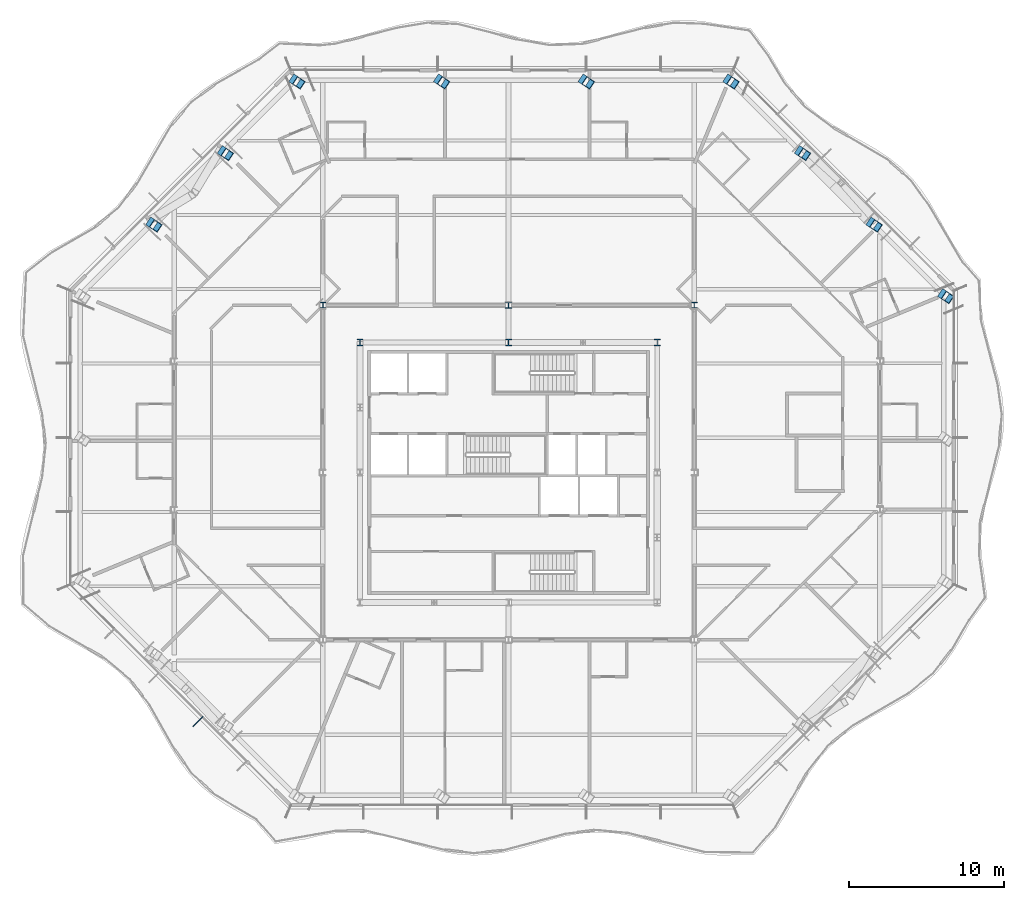
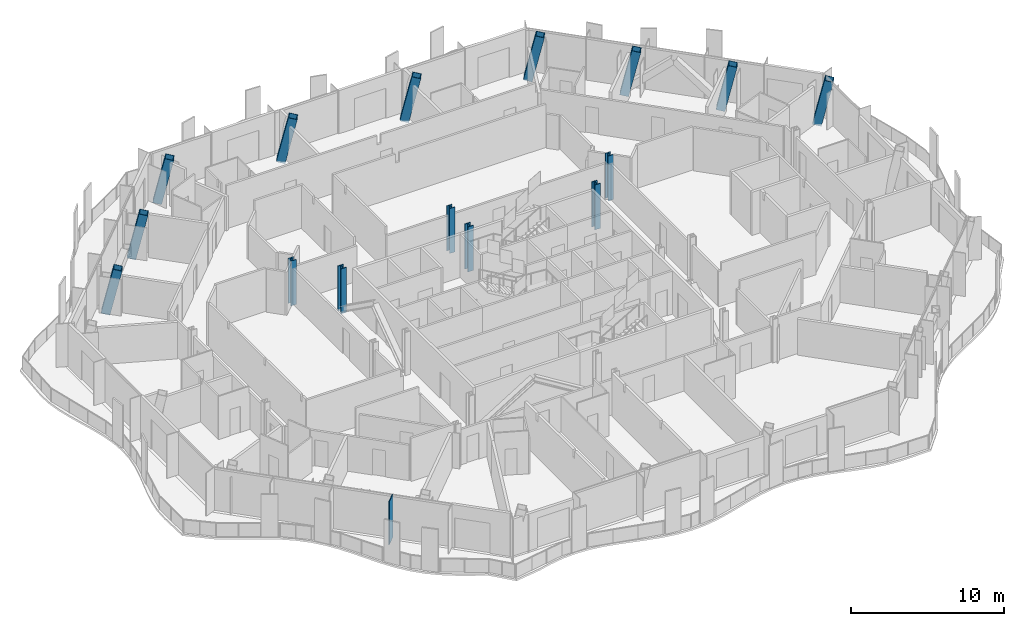
# One storey, part 2 of 22: 15 columns, 1 member, 1 element without a shape of its own.
"""IFC4 building model written with IfcOpenShell, lengths in metres."""

from ifc_helpers import new_model, si_unit, direction, frame, origin, origin_2d, place, context, subcontext, project, spatial, rectangle, hollow_rectangle, i_section, extrude, clip, halfspace, material, material_profile, profile_set, type_object, element, aggregate, save


model = new_model("IFC4")

# Units and contexts
model_context = context("Model", 3, precision=1e-05, world=origin(), true_north=direction((0.0, 1.0)))
body_context = subcontext(model_context, "Body", "Model", "MODEL_VIEW")
ifc_project = project(units=[si_unit("LENGTHUNIT", "METRE"), si_unit("AREAUNIT", "SQUARE_METRE"), si_unit("VOLUMEUNIT", "CUBIC_METRE"), si_unit("PLANEANGLEUNIT", "RADIAN"), si_unit("MASSUNIT", "GRAM", prefix="KILO")], contexts=[model_context])

# Site, building, storey
site_placement = place(None, origin())
site = spatial("IfcSite", under=ifc_project, at=site_placement, CompositionType="ELEMENT")
building_placement = place(site_placement, origin())
building = spatial("IfcBuilding", under=site, at=building_placement, Name="Cairn Pilgrim Tower", CompositionType="ELEMENT")
storey_placement = place(building_placement, frame((0.0, 0.0, 175.800048828125)))
storey = spatial("IfcBuildingStorey", under=building, at=storey_placement, Name="L44", CompositionType="ELEMENT", Elevation=175.800048828125)

# Columns
ifc_material_1 = material(Name="Structural steel S460M", Category="steel")
ifc_material_profile_1 = material_profile(ifc_material_1, hollow_rectangle(XDim=0.60009765625, YDim=0.60009765625, WallThickness=0.034912109375, at=origin_2d()), Name="BOX 600x600x35")
ifc_profile_set_1 = profile_set([ifc_material_profile_1], Name="Structural steel S460M")
column_type_1 = type_object("IfcColumnType", Name="BOX 600x600x35", PredefinedType="COLUMN", material=ifc_profile_set_1)
for number, where, z_axis, x_axis, name in (
    (1, (35.324951171875, 13.877197265625, -0.150146484375), (0.18292158996, -0.12192567461, 0.97553770906), (0.55463074681, 0.832096589761, 0.0), "PC2-NE1"),
    (2, (30.70068359375, 18.50146484375, -0.150146484375), (0.18292158996, -0.12192567461, 0.97553770906), (0.55463074681, 0.832096589761, 0.0), "PC2-NE2"),
    (3, (26.076416015625, 23.125732421875, -0.150146484375), (0.18292158996, -0.12192567461, 0.97553770906), (0.55463074681, 0.832096589761, 0.0), "PC2-NE3"),
    (4, (21.4521484375, 27.75, -0.150146484375), (0.18292158996, -0.12192567461, 0.97553770906), (0.55463074681, 0.832096589761, 0.0), "PC2-N1"),
    (5, (12.1005859375, 27.75, -0.150146484375), (0.18292158996, -0.12192567461, 0.97553770906), (0.55463074681, 0.832096589761, 0.0), "PC2-N2"),
    (6, (2.749267578125, 27.75, -0.150146484375), (0.18292158996, -0.12192567461, 0.97553770906), (0.55463074681, 0.832096589761, 0.0), "PC2-N3"),
    (7, (-6.602294921875, 27.75, -0.150146484375), (0.18292158996, -0.12192567461, 0.97553770906), (0.55463074681, 0.832096589761, 0.0), "PC2-NW1"),
    (8, (-11.2265625, 23.125732421875, -0.150146484375), (0.18292158996, -0.12192567461, 0.97553770906), (0.55463074681, 0.832096589761, 0.0), "PC2-NW2"),
    (9, (-15.8505859375, 18.50146484375, -0.150146484375), (0.182857646312, -0.121927149838, 0.975549512489), (0.554769659169, 0.83200398152, 0.0), "PC2-NW3"),
):
    element("IfcColumn", number, at=place(storey_placement, frame(where, z_axis=z_axis, x_axis=x_axis)), inside=storey, type_object=column_type_1, Name=name, PredefinedType="COLUMN", context=body_context, shape_type="Clipping", body=[
        clip(clip(extrude(hollow_rectangle(XDim=0.60009765625, YDim=0.60009765625, WallThickness=0.034912109375, at=origin_2d()), origin(), (0.0, 0.0, 1.0), 3.6904296875), halfspace(frame((0.0, 0.0, 0.02197265625), z_axis=(0.0, 0.0, 1.0), x_axis=(1.0, 0.0, 0.0)), True)), halfspace(frame((0.0, 0.0, 3.669921875), z_axis=(0.0, 0.0, 1.0), x_axis=(1.0, 0.0, 0.0)), False)),
    ])
ifc_material_2 = material(Name="Structural steel S355J2", Category="steel")
ifc_material_profile_2 = material_profile(ifc_material_2, i_section(OverallWidth=0.39892578125, OverallDepth=0.39306640625, WebThickness=0.022705078125, FlangeThickness=0.03662109375, FilletRadius=0.014892578125, at=origin_2d()), Name="HD 400x287")
ifc_profile_set_2 = profile_set([ifc_material_profile_2], Name="Structural steel S355J2")
column_type_2 = type_object("IfcColumnType", Name="HD 400x287", PredefinedType="COLUMN", material=ifc_profile_set_2)
for number, where, z_axis, x_axis, name in (
    (10, (-4.800048828125, 13.199951171875, -0.150146484375), (0.0, 0.0, 1.0), (1.0, 0.0, 0.0), "IC-6"),
    (11, (7.199951171875, 13.199951171875, -0.150146484375), (0.0, 0.0, 1.0), (1.0, 0.0, 0.0), "IC-7"),
    (12, (19.199951171875, 13.199951171875, -0.150146484375), (0.0, 0.0, 1.0), (1.0, 0.0, 0.0), "IC-8"),
):
    element("IfcColumn", number, at=place(storey_placement, frame(where, z_axis=z_axis, x_axis=x_axis)), inside=storey, type_object=column_type_2, Name=name, PredefinedType="COLUMN", context=body_context, shape_type="SweptSolid", body=[
        extrude(i_section(OverallWidth=0.39892578125, OverallDepth=0.39306640625, WebThickness=0.022705078125, FlangeThickness=0.03662109375, FilletRadius=0.014892578125, at=origin_2d()), origin(), (0.0, 0.0, 1.0), 3.60009765625),
    ])
ifc_material_profile_3 = material_profile(ifc_material_1, i_section(OverallWidth=0.416015625, OverallDepth=0.446044921875, WebThickness=0.0390625, FlangeThickness=0.062744140625, FilletRadius=0.014892578125, at=origin_2d()), Name="HD 400x509")
ifc_profile_set_3 = profile_set([ifc_material_profile_3], Name="Structural steel S460M")
column_type_3 = type_object("IfcColumnType", Name="HD 400x509", PredefinedType="COLUMN", material=ifc_profile_set_3)
for number, where, z_axis, x_axis, name in (
    (13, (-2.39990234375, 10.800048828125, -0.150146484375), (0.0, 0.0, 1.0), (1.0, 0.0, 0.0), "KC-6"),
    (14, (7.199951171875, 10.800048828125, -0.150146484375), (0.0, 0.0, 1.0), (1.0, 0.0, 0.0), "KC-7"),
    (15, (16.800048828125, 10.800048828125, -0.150146484375), (0.0, 0.0, 1.0), (1.0, 0.0, 0.0), "KC-8"),
):
    element("IfcColumn", number, at=place(storey_placement, frame(where, z_axis=z_axis, x_axis=x_axis)), inside=storey, type_object=column_type_3, Name=name, PredefinedType="COLUMN", context=body_context, shape_type="SweptSolid", body=[
        extrude(i_section(OverallWidth=0.416015625, OverallDepth=0.446044921875, WebThickness=0.0390625, FlangeThickness=0.062744140625, FilletRadius=0.014892578125, at=origin_2d()), origin(), (0.0, 0.0, 1.0), 3.60009765625),
    ])

# Curtain wall, member
ifc_material_3 = material(Name="Aluminium alloy 6063-T6 bronze anodised with Bronze tinted laminated low-E glass 8+16+8.8", Category="aluminium")
curtain_wall_type = type_object("IfcCurtainWallType", Name="CHAMFER CORNER CURTAIN WALL", PredefinedType="NOTDEFINED", material=ifc_material_3)
curtain_wall_placement = place(storey_placement, origin())
curtain_wall = element("IfcCurtainWall", 16, at=curtain_wall_placement, inside=storey, type_object=curtain_wall_type, Name="Chamfer Corner Curtain Wall SW", PredefinedType="NOTDEFINED")
ifc_material_4 = material(Name="Aluminium alloy 6063-T6 bronze anodised", Category="aluminium")
ifc_material_profile_4 = material_profile(ifc_material_4, rectangle(XDim=0.89990234375, YDim=0.06005859375, at=origin_2d()), Name="FIN MULLION 60x900 BRONZE")
ifc_profile_set_4 = profile_set([ifc_material_profile_4], Name="Aluminium alloy 6063-T6 bronze anodised")
member_type = type_object("IfcMemberType", Name="FIN MULLION 60x900 BRONZE", PredefinedType="MULLION", material=ifc_profile_set_4)
member_placement = place(storey_placement, frame((-12.869873046875, -13.695556640625, 0.0), z_axis=(0.0, 0.0, 1.0), x_axis=(-0.707106781187, -0.707106781187, 0.0)))
member = element("IfcMember", 17, at=member_placement, type_object=member_type, Name="Fin mullion SW4", PredefinedType="MULLION", context=body_context, shape_type="SweptSolid", body=[
    extrude(rectangle(XDim=0.89990234375, YDim=0.06005859375, at=origin_2d()), origin(), (0.0, 0.0, 1.0), 3.449951171875),
])
aggregate(curtain_wall, [member])

save(model, "model.ifc")
